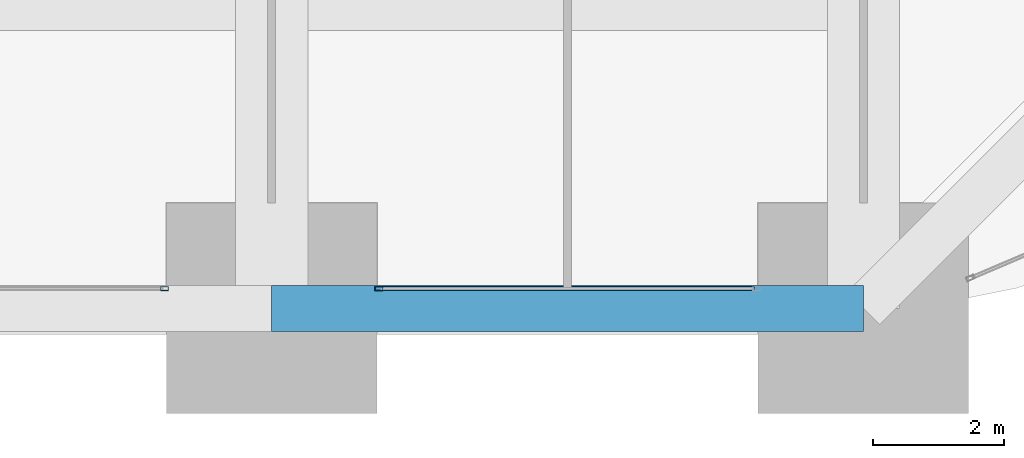
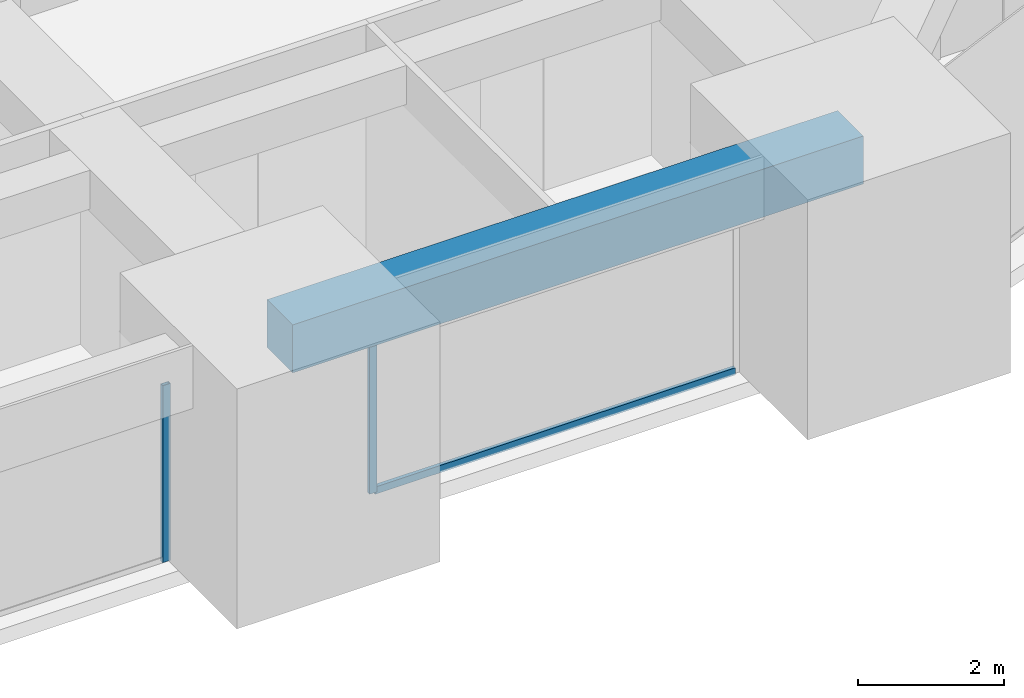
# One storey, part 11 of 43: 3 members, 1 beam, 2 elements without a shape of their own.
"""IFC4 building model written with IfcOpenShell, lengths in metres."""

import ifcopenshell
import ifcopenshell.guid

model = None  # the IFC model being written
_history = None  # IfcOwnerHistory: only IFC2X3 demands one
_inside = {}  # id of a spatial element -> (the spatial element, [elements in it])
_under = {}  # id of a project, library or spatial element -> (it, [spatial elements below it])
_declared = {}  # id of a project -> (the project, [libraries it declares])
_typed = {}  # id of a type object -> (the type object, [elements of that type])
_made_of = {}  # id of a material, layer set ... -> (it, [elements and type objects made of it])


def new_model(schema):
    """Start an empty IFC model of exactly this schema.

    Asked for "IFC4X3", IfcOpenShell would pick the latest addendum, in which some entities
    have other attributes; the version numbers below select the first issue.
    IFC2X3 requires an IfcOwnerHistory on every rooted entity: one is made here for all.
    """
    global model, _history
    if schema == "IFC4X3":
        model = ifcopenshell.file(schema_version=(4, 3, 0, 0))
    else:
        model = ifcopenshell.file(schema=schema)
    _inside.clear()
    _under.clear()
    _declared.clear()
    _typed.clear()
    _made_of.clear()
    _history = None
    if model.schema == "IFC2X3":
        org = make("IfcOrganization", Name="unknown")
        user = make(
            "IfcPersonAndOrganization",
            ThePerson=make("IfcPerson", FamilyName="unknown"),
            TheOrganization=org,
        )
        app = make(
            "IfcApplication",
            ApplicationDeveloper=org,
            Version="unknown",
            ApplicationFullName="unknown",
            ApplicationIdentifier="unknown",
        )
        _history = make(
            "IfcOwnerHistory",
            OwningUser=user,
            OwningApplication=app,
            ChangeAction="ADDED",
            CreationDate=0,
        )
    return model


def make(cls, **values):
    """One entity of the class cls with the attributes given. An attribute that is None is left unset."""
    return model.create_entity(
        cls, **{name: value for name, value in values.items() if value is not None}
    )


def rooted(cls, **values):
    """An entity with a GlobalId (a new one), such as an element, a storey or a relation."""
    return make(cls, GlobalId=ifcopenshell.guid.new(), OwnerHistory=_history, **values)


def si_unit(unit_type, name, prefix=None):
    """IfcSIUnit, for example si_unit("LENGTHUNIT", "METRE", prefix="MILLI")."""
    return make("IfcSIUnit", UnitType=unit_type, Prefix=prefix, Name=name)


def assignment(units):
    """IfcUnitAssignment: the units of a project."""
    return None if units is None else make("IfcUnitAssignment", Units=units)


def point(xyz):
    """IfcCartesianPoint."""
    return None if xyz is None else make("IfcCartesianPoint", Coordinates=xyz)


def direction(xyz):
    """IfcDirection."""
    return None if xyz is None else make("IfcDirection", DirectionRatios=xyz)


def frame(location, z_axis=None, x_axis=None):
    """IfcAxis2Placement3D, a coordinate frame: its origin and axes. An axis left out is left unset."""
    return make(
        "IfcAxis2Placement3D",
        Location=point(location),
        Axis=direction(z_axis),
        RefDirection=direction(x_axis),
    )


def frame_2d(location, x_axis=None):
    """IfcAxis2Placement2D, a coordinate frame in the plane: its origin and x axis."""
    return make(
        "IfcAxis2Placement2D", Location=point(location), RefDirection=direction(x_axis)
    )


def origin():
    """The frame at (0, 0, 0) with its axes left unset."""
    return frame((0.0, 0.0, 0.0))


def origin_2d():
    """The frame at (0, 0) in the plane with its x axis left unset."""
    return frame_2d((0.0, 0.0))


def place(relative_to, where):
    """IfcLocalPlacement: puts the frame where relative to a parent placement (None: the world)."""
    return make(
        "IfcLocalPlacement", PlacementRelTo=relative_to, RelativePlacement=where
    )


def context(
    kind, dimensions, precision=None, world=None, true_north=None, identifier=None
):
    """IfcGeometricRepresentationContext, for example the 3D "Model" context."""
    return make(
        "IfcGeometricRepresentationContext",
        ContextIdentifier=identifier,
        ContextType=kind,
        CoordinateSpaceDimension=dimensions,
        Precision=precision,
        WorldCoordinateSystem=world,
        TrueNorth=true_north,
    )


def subcontext(parent, identifier, kind, view, scale=None):
    """IfcGeometricRepresentationSubContext, for example "Body" below "Model"."""
    return make(
        "IfcGeometricRepresentationSubContext",
        ContextIdentifier=identifier,
        ContextType=kind,
        ParentContext=parent,
        TargetScale=scale,
        TargetView=view,
    )


def project(units=None, contexts=None):
    """IfcProject with its units and contexts."""
    return rooted(
        "IfcProject",
        Name="project",
        RepresentationContexts=contexts,
        UnitsInContext=assignment(units),
    )


def spatial(cls, under=None, at=None, **own):
    """A site, building, storey or space (cls), placed at a placement, below another one or the project."""
    s = rooted(cls, ObjectPlacement=at, **own)
    if under is not None:
        _under.setdefault(under.id(), (under, []))[1].append(s)
    return s


def profile(cls, at=None, kind="AREA", **sizes):
    """A parametric profile (cls). Its sizes go by their IFC names, for example OverallWidth=200.0."""
    return make(cls, ProfileType=kind, Position=at, **sizes)


def rectangle(**sizes):
    """IfcRectangleProfileDef."""
    return profile("IfcRectangleProfileDef", **sizes)


def hollow_rectangle(**sizes):
    """IfcRectangleHollowProfileDef."""
    return profile("IfcRectangleHollowProfileDef", **sizes)


def extrude(swept, where, along, depth):
    """IfcExtrudedAreaSolid: the profile swept, set in the frame where, extruded along a direction by depth."""
    return make(
        "IfcExtrudedAreaSolid",
        SweptArea=swept,
        Position=where,
        ExtrudedDirection=direction(along),
        Depth=depth,
    )


def shape(context_of_items, identifier, shape_type, items):
    """IfcShapeRepresentation: the items that make up one representation, for example the "Body"."""
    return make(
        "IfcShapeRepresentation",
        ContextOfItems=context_of_items,
        RepresentationIdentifier=identifier,
        RepresentationType=shape_type,
        Items=items,
    )


def material(Name=None, Category=None):
    """IfcMaterial."""
    return make("IfcMaterial", Name=Name, Category=Category)


def material_profile(
    of_material, cross_section, Name=None, Category=None, Priority=None
):
    """IfcMaterialProfile: a cross section and its material."""
    return make(
        "IfcMaterialProfile",
        Name=Name,
        Material=of_material,
        Profile=cross_section,
        Priority=Priority,
        Category=Category,
    )


def profile_set(profiles, Name=None, composite=None):
    """IfcMaterialProfileSet."""
    return make(
        "IfcMaterialProfileSet",
        Name=Name,
        MaterialProfiles=profiles,
        CompositeProfile=composite,
    )


def made_of(thing, what):
    """Note that an element or type object is made of a material, layer set ...; save() writes the relation."""
    if what is not None:
        _made_of.setdefault(what.id(), (what, []))[1].append(thing)
    return thing


def type_object(cls, material=None, **own):
    """A type object (cls), such as IfcWallType, which elements share."""
    return made_of(rooted(cls, **own), material)


def element(
    cls,
    number,
    at=None,
    inside=None,
    cuts=None,
    type_object=None,
    material=None,
    context=None,
    identifier="Body",
    shape_type=None,
    held_by="IfcProductDefinitionShape",
    body=None,
    shapes=None,
    **own,
):
    """One element of the class cls, such as IfcWall. Its Tag is "e" and its number.

    at: its placement. inside: the storey or other place that contains it. cuts: it is an
    opening in that element (IfcRelVoidsElement). A single representation is given by context,
    identifier, shape_type and body (its items); several are given by shapes. held_by: the class
    of the entity that holds the representations. save() writes the other relations.
    """
    e = rooted(cls, Tag="e%d" % number, ObjectPlacement=at, **own)
    if body is not None:
        shapes = [shape(context, identifier, shape_type, body)]
    if shapes is not None:
        e.Representation = make(held_by, Representations=shapes)
    if inside is not None:
        _inside.setdefault(inside.id(), (inside, []))[1].append(e)
    if cuts is not None:
        rooted(
            "IfcRelVoidsElement", RelatingBuildingElement=cuts, RelatedOpeningElement=e
        )
    if type_object is not None:
        _typed.setdefault(type_object.id(), (type_object, []))[1].append(e)
    return made_of(e, material)


def aggregate(whole, parts):
    """IfcRelAggregates: a whole, such as a stair, and the parts it consists of."""
    return rooted("IfcRelAggregates", RelatingObject=whole, RelatedObjects=parts)


def save(model, path):
    """Write the relations noted so far, then the file.

    IfcRelAggregates (storeys below a building ...), IfcRelContainedInSpatialStructure (elements
    in a storey), IfcRelDefinesByType, IfcRelAssociatesMaterial and IfcRelDeclares: one each for
    every whole, place, type object, material and project.
    """
    for whole, parts in _under.values():
        aggregate(whole, parts)
    for where, things in _inside.values():
        rooted(
            "IfcRelContainedInSpatialStructure",
            RelatedElements=things,
            RelatingStructure=where,
        )
    for kind, things in _typed.values():
        rooted("IfcRelDefinesByType", RelatedObjects=things, RelatingType=kind)
    for what, things in _made_of.values():
        rooted("IfcRelAssociatesMaterial", RelatedObjects=things, RelatingMaterial=what)
    for by, libraries in _declared.values():
        rooted("IfcRelDeclares", RelatingContext=by, RelatedDefinitions=libraries)
    model.write(path)


model = new_model("IFC4")

# Units and contexts
model_context = context("Model", 3, precision=1e-05, world=origin(), true_north=direction((0.0, 1.0)))
body_context = subcontext(model_context, "Body", "Model", "MODEL_VIEW")
ifc_project = project(units=[si_unit("LENGTHUNIT", "METRE"), si_unit("AREAUNIT", "SQUARE_METRE"), si_unit("VOLUMEUNIT", "CUBIC_METRE"), si_unit("PLANEANGLEUNIT", "RADIAN"), si_unit("MASSUNIT", "GRAM", prefix="KILO")], contexts=[model_context])

# Site, building, storey
site_placement = place(None, origin())
site = spatial("IfcSite", under=ifc_project, at=site_placement, CompositionType="ELEMENT")
building_placement = place(site_placement, origin())
building = spatial("IfcBuilding", under=site, at=building_placement, Name="Zorevar Civic Tower", CompositionType="ELEMENT")
storey_placement = place(building_placement, frame((0.0, 0.0, 243.39990234375)))
storey = spatial("IfcBuildingStorey", under=building, at=storey_placement, Name="L59", CompositionType="ELEMENT", Elevation=243.39990234375)

# Curtain wall, member
ifc_material_1 = material(Name="Dark grey solar-control glass in black aluminium frame", Category="aluminium")
curtain_wall_type = type_object("IfcCurtainWallType", Name="Curtain wall CW5 top zone", PredefinedType="NOTDEFINED", material=ifc_material_1)
curtain_wall_1_placement = place(storey_placement, origin())
curtain_wall_1 = element("IfcCurtainWall", 1, at=curtain_wall_1_placement, inside=storey, type_object=curtain_wall_type, Name="CW5 L59", PredefinedType="NOTDEFINED")
ifc_material_2 = material(Name="Aluminium, black anodised", Category="aluminium")
ifc_material_profile_1 = material_profile(ifc_material_2, hollow_rectangle(XDim=0.06005859375, YDim=0.1201171875, WallThickness=0.0029296875, at=origin_2d()), Name="AL 120x60x3")
ifc_profile_set_1 = profile_set([ifc_material_profile_1], Name="Aluminium, black anodised")
member_type_1 = type_object("IfcMemberType", Name="CW5 mullion AL 120x60x3", PredefinedType="MULLION", material=ifc_profile_set_1)
member_1_placement = place(storey_placement, frame((34.3701171875, 0.300048828125, 0.0), z_axis=(0.0, 0.0, 1.0), x_axis=(0.0, 1.0, 0.0)))
member_1 = element("IfcMember", 2, at=member_1_placement, type_object=member_type_1, Name="CW5 mullion 2", PredefinedType="MULLION", context=body_context, shape_type="SweptSolid", body=[
    extrude(hollow_rectangle(XDim=0.06005859375, YDim=0.1201171875, WallThickness=0.0029296875, at=origin_2d()), origin(), (0.0, 0.0, 1.0), 2.9501953125),
])
aggregate(curtain_wall_1, [member_1])

# Curtain wall, members
curtain_wall_2_placement = place(storey_placement, origin())
curtain_wall_2 = element("IfcCurtainWall", 3, at=curtain_wall_2_placement, inside=storey, type_object=curtain_wall_type, Name="CW5 L59", PredefinedType="NOTDEFINED")
member_2_placement = place(storey_placement, frame((37.6298828125, 0.300048828125, 0.0), z_axis=(0.0, 0.0, 1.0), x_axis=(0.0, 1.0, 0.0)))
member_2 = element("IfcMember", 4, at=member_2_placement, type_object=member_type_1, Name="CW5 mullion 1", PredefinedType="MULLION", context=body_context, shape_type="SweptSolid", body=[
    extrude(hollow_rectangle(XDim=0.06005859375, YDim=0.1201171875, WallThickness=0.0029296875, at=origin_2d()), origin(), (0.0, 0.0, 1.0), 2.9501953125),
])
ifc_material_3 = material(Name="Aluminium, black anodised", Category="aluminium")
ifc_material_profile_2 = material_profile(ifc_material_3, hollow_rectangle(XDim=0.06005859375, YDim=0.1201171875, WallThickness=0.0029296875, at=origin_2d()), Name="AL 120x60x3")
ifc_profile_set_2 = profile_set([ifc_material_profile_2], Name="Aluminium, black anodised")
member_type_2 = type_object("IfcMemberType", Name="CW5 transom AL 120x60x3", PredefinedType="USERDEFINED", material=ifc_profile_set_2)
member_3_placement = place(storey_placement, frame((37.659912109375, 0.300048828125, 0.030029296875), z_axis=(1.0, 0.0, 0.0), x_axis=(0.0, 1.0, 0.0)))
member_3 = element("IfcMember", 5, at=member_3_placement, type_object=member_type_2, Name="CW5 sill transom", ObjectType="TRANSOM", PredefinedType="USERDEFINED", context=body_context, shape_type="SweptSolid", body=[
    extrude(hollow_rectangle(XDim=0.06005859375, YDim=0.1201171875, WallThickness=0.0029296875, at=origin_2d()), origin(), (0.0, 0.0, 1.0), 5.68017578125),
])
aggregate(curtain_wall_2, [member_2, member_3])

# Beam
ifc_material_4 = material(Name="Concrete C50/60", Category="concrete")
ifc_material_profile_3 = material_profile(ifc_material_4, rectangle(XDim=0.699951171875, YDim=0.800048828125, at=origin_2d()), Name="RC 700x800")
ifc_profile_set_3 = profile_set([ifc_material_profile_3], Name="Concrete C50/60")
beam_type = type_object("IfcBeamType", Name="Edge beam RC 700x800", PredefinedType="SPANDREL", material=ifc_profile_set_3)
beam_placement = place(storey_placement, frame((36.0, 0.0, 3.35009765625), z_axis=(1.0, 0.0, 0.0), x_axis=(0.0, 1.0, 0.0)))
element("IfcBeam", 6, at=beam_placement, inside=storey, type_object=beam_type, Name="Edge beam L60", PredefinedType="SPANDREL", context=body_context, shape_type="SweptSolid", body=[
    extrude(rectangle(XDim=0.699951171875, YDim=0.800048828125, at=origin_2d()), origin(), (0.0, 0.0, 1.0), 9.0),
])

save(model, "model.ifc")
